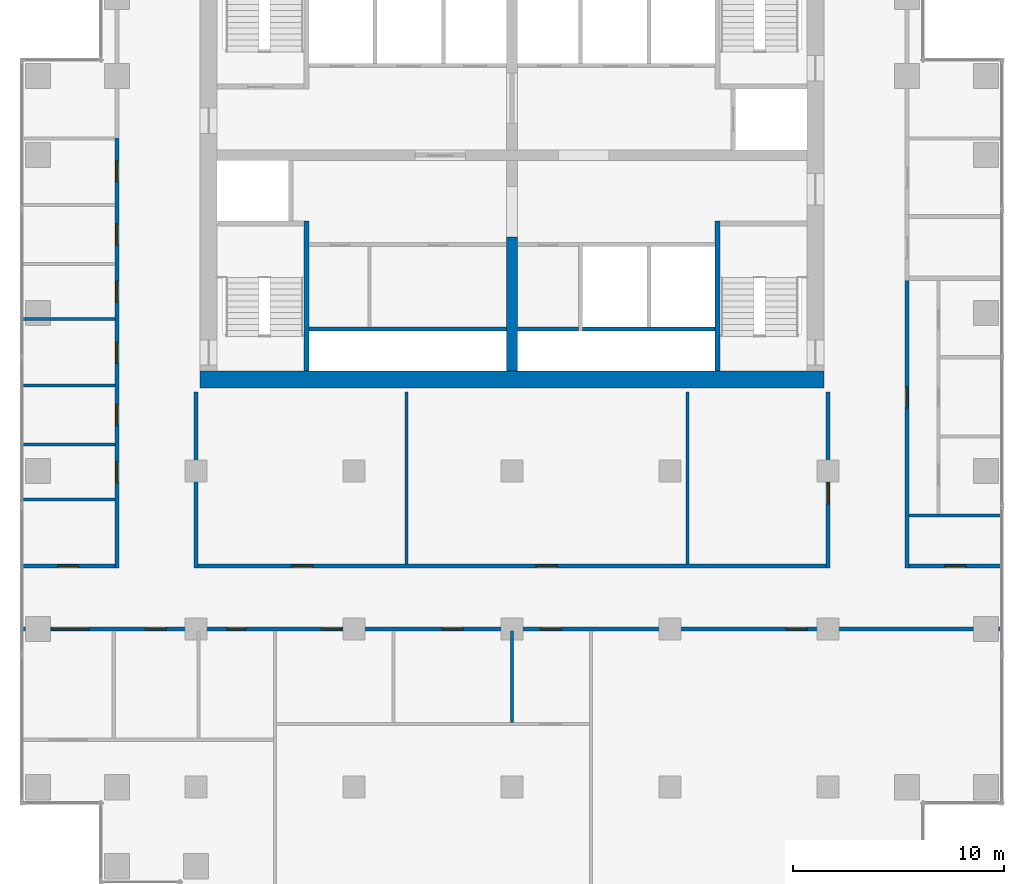
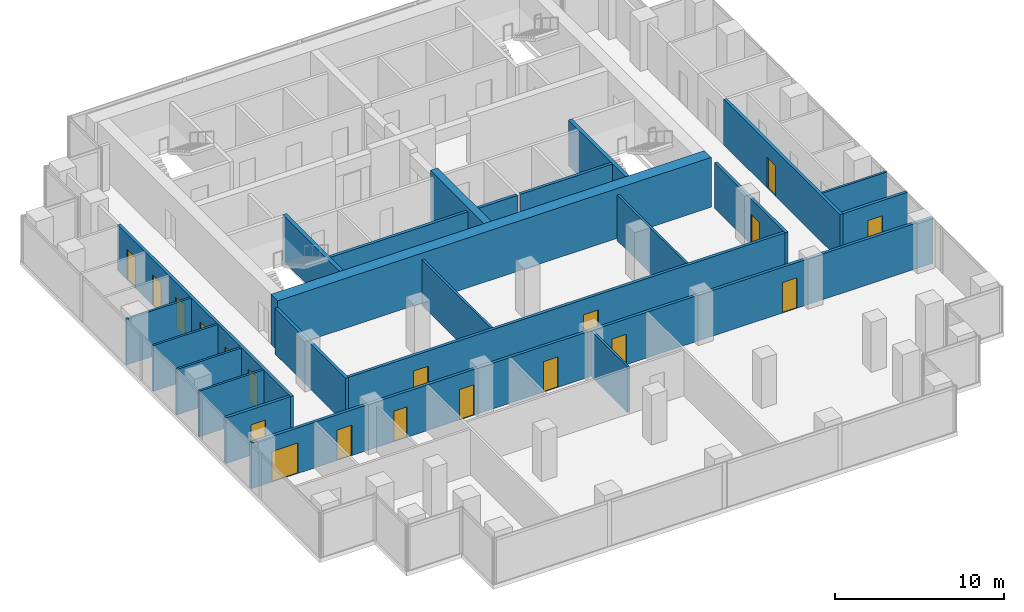
# One storey, part 7 of 10: 23 walls, 19 doors, 19 openings.
"""IFC4 building model written with IfcOpenShell, lengths in metres."""

from ifc_helpers import new_model, si_unit, direction, frame, frame_2d, origin, place, context, subcontext, project, spatial, rectangle, extrude, material, layer, layer_set, type_object, element, fill, save


model = new_model("IFC4")

# Units and contexts
model_context = context("Model", 3, precision=1e-05, world=origin(), true_north=direction((0.0, 1.0)))
body_context = subcontext(model_context, "Body", "Model", "MODEL_VIEW")
ifc_project = project(units=[si_unit("LENGTHUNIT", "METRE"), si_unit("AREAUNIT", "SQUARE_METRE"), si_unit("VOLUMEUNIT", "CUBIC_METRE"), si_unit("PLANEANGLEUNIT", "RADIAN"), si_unit("MASSUNIT", "GRAM", prefix="KILO")], contexts=[model_context])

# Site, building, storey
site_placement = place(None, origin())
site = spatial("IfcSite", under=ifc_project, at=site_placement, CompositionType="ELEMENT")
building_placement = place(site_placement, origin())
building = spatial("IfcBuilding", under=site, at=building_placement, Name="Pilkhan Gate Tower", CompositionType="ELEMENT")
storey_placement = place(building_placement, frame((0.0, 0.0, 147.699951171875)))
storey = spatial("IfcBuildingStorey", under=building, at=storey_placement, Name="L37", CompositionType="ELEMENT", Elevation=147.699951171875)

# Wall
ifc_material_1 = material(Name="Concrete C60/75", Category="concrete")
ifc_layer_1 = layer(ifc_material_1, 0.800048828125)
ifc_layer_set_1 = layer_set([ifc_layer_1], Name="Core wall CW800 C60/75")
wall_type_1 = type_object("IfcWallType", Name="Core wall CW800 C60/75", PredefinedType="SHEAR", material=ifc_layer_set_1)
wall_1_placement = place(storey_placement, frame((60.199951171875, 71.85009765625, 0.0), z_axis=(0.0, 0.0, 1.0), x_axis=(1.0, 0.0, 0.0)))
element("IfcWall", 1, at=wall_1_placement, inside=storey, type_object=wall_type_1, Name="Core wall S L37", PredefinedType="SHEAR", context=body_context, shape_type="SweptSolid", body=[
    extrude(rectangle(XDim=29.60009765625, YDim=0.800048828125, at=frame_2d((14.800048828125, 0.0))), origin(), (0.0, 0.0, 1.0), 3.60009765625),
])

# Wall, openings, doors
ifc_material_2 = material(Name="Dense blockwork", Category="masonry")
ifc_layer_2 = layer(ifc_material_2, 0.199951171875)
ifc_layer_set_2 = layer_set([ifc_layer_2], Name="Corridor wall FW200")
wall_type_2 = type_object("IfcWallType", Name="Corridor wall FW200", PredefinedType="PARTITIONING", material=ifc_layer_set_2)
wall_2_placement = place(storey_placement, frame((51.735107421875, 60.0, 0.0), z_axis=(0.0, 0.0, 1.0), x_axis=(1.0, 0.0, 0.0)))
wall_2 = element("IfcWall", 2, at=wall_2_placement, inside=storey, type_object=wall_type_2, Name="Partition L37", PredefinedType="PARTITIONING", context=body_context, shape_type="SweptSolid", body=[
    extrude(rectangle(XDim=46.52978515625, YDim=0.199951171875, at=frame_2d((23.264892578125, 0.0))), origin(), (0.0, 0.0, 1.0), 3.300048828125),
])
opening_1_placement = place(wall_2_placement, frame((24.614990234375, 0.0, 0.0)))
opening_1 = element("IfcOpeningElement", 3, at=opening_1_placement, cuts=wall_2, Name="Opening L37-06", PredefinedType="OPENING", context=body_context, shape_type="SweptSolid", body=[
    extrude(rectangle(XDim=1.0, YDim=2.199951171875, at=frame_2d((0.5, 1.10009765625))), frame((0.0, 0.10986328125, 0.0), z_axis=(0.0, -1.0, 0.0), x_axis=(1.0, 0.0, 0.0)), (0.0, 0.0, 1.0), 0.219970703125),
])
opening_2_placement = place(wall_2_placement, frame((1.39990234375, 0.0, 0.0)))
opening_2 = element("IfcOpeningElement", 4, at=opening_2_placement, cuts=wall_2, Name="Opening L37-17", PredefinedType="OPENING", context=body_context, shape_type="SweptSolid", body=[
    extrude(rectangle(XDim=1.800048828125, YDim=2.199951171875, at=frame_2d((0.89990234375, 1.10009765625))), frame((0.0, 0.10986328125, 0.0), z_axis=(0.0, -1.0, 0.0), x_axis=(1.0, 0.0, 0.0)), (0.0, 0.0, 1.0), 0.219970703125),
])
opening_3_placement = place(wall_2_placement, frame((5.864990234375, 0.0, 0.0)))
opening_3 = element("IfcOpeningElement", 5, at=opening_3_placement, cuts=wall_2, Name="Opening L37-18", PredefinedType="OPENING", context=body_context, shape_type="SweptSolid", body=[
    extrude(rectangle(XDim=1.0, YDim=2.199951171875, at=frame_2d((0.5, 1.10009765625))), frame((0.0, 0.10986328125, 0.0), z_axis=(0.0, -1.0, 0.0), x_axis=(1.0, 0.0, 0.0)), (0.0, 0.0, 1.0), 0.219970703125),
])
opening_4_placement = place(wall_2_placement, frame((9.740966796875, 0.0, 0.0)))
opening_4 = element("IfcOpeningElement", 6, at=opening_4_placement, cuts=wall_2, Name="Opening L37-19", PredefinedType="OPENING", context=body_context, shape_type="SweptSolid", body=[
    extrude(rectangle(XDim=0.89990234375, YDim=2.199951171875, at=frame_2d((0.449951171875, 1.10009765625))), frame((0.0, 0.10986328125, 0.0), z_axis=(0.0, -1.0, 0.0), x_axis=(1.0, 0.0, 0.0)), (0.0, 0.0, 1.0), 0.219970703125),
])
opening_5_placement = place(wall_2_placement, frame((14.215087890625, 0.0, 0.0)))
opening_5 = element("IfcOpeningElement", 7, at=opening_5_placement, cuts=wall_2, Name="Opening L37-21", PredefinedType="OPENING", context=body_context, shape_type="SweptSolid", body=[
    extrude(rectangle(XDim=1.0, YDim=2.199951171875, at=frame_2d((0.5, 1.10009765625))), frame((0.0, 0.10986328125, 0.0), z_axis=(0.0, -1.0, 0.0), x_axis=(1.0, 0.0, 0.0)), (0.0, 0.0, 1.0), 0.219970703125),
])
opening_6_placement = place(wall_2_placement, frame((19.93994140625, 0.0, 0.0)))
opening_6 = element("IfcOpeningElement", 8, at=opening_6_placement, cuts=wall_2, Name="Opening L37-22", PredefinedType="OPENING", context=body_context, shape_type="SweptSolid", body=[
    extrude(rectangle(XDim=1.0, YDim=2.199951171875, at=frame_2d((0.5, 1.10009765625))), frame((0.0, 0.10986328125, 0.0), z_axis=(0.0, -1.0, 0.0), x_axis=(1.0, 0.0, 0.0)), (0.0, 0.0, 1.0), 0.219970703125),
])
opening_7_placement = place(wall_2_placement, frame((36.264892578125, 0.0, 0.0)))
opening_7 = element("IfcOpeningElement", 9, at=opening_7_placement, cuts=wall_2, Name="Opening L37-24", PredefinedType="OPENING", context=body_context, shape_type="SweptSolid", body=[
    extrude(rectangle(XDim=1.0, YDim=2.199951171875, at=frame_2d((0.5, 1.10009765625))), frame((0.0, 0.10986328125, 0.0), z_axis=(0.0, -1.0, 0.0), x_axis=(1.0, 0.0, 0.0)), (0.0, 0.0, 1.0), 0.219970703125),
])
ifc_material_3 = material(Name="Timber glazed double door, 30 minute fire resisting", Category="wood")
door_type_1 = type_object("IfcDoorType", Name="Double door D04 1800x2200", OperationType="DOUBLE_DOOR_SINGLE_SWING", PredefinedType="DOOR", material=ifc_material_3)
door_1_placement = place(opening_2_placement, origin())
door_1 = element("IfcDoor", 10, at=door_1_placement, inside=storey, type_object=door_type_1, Name="Double door", OperationType="DOUBLE_DOOR_SINGLE_SWING", OverallHeight=2.199951171875, OverallWidth=1.800048828125, PredefinedType="DOOR", context=body_context, shape_type="SweptSolid", body=[
    extrude(rectangle(XDim=1.800048828125, YDim=2.199951171875, at=frame_2d((0.89990234375, 1.10009765625))), frame((0.0, 0.02490234375, 0.0), z_axis=(0.0, -1.0, 0.0), x_axis=(1.0, 0.0, 0.0)), (0.0, 0.0, 1.0), 0.050048828125),
])
fill(opening_2, door_1)
ifc_material_4 = material(Name="Timber flush door, 30 minute fire resisting", Category="wood")
door_type_2 = type_object("IfcDoorType", Name="Room door D03 1000x2200", OperationType="SINGLE_SWING_LEFT", PredefinedType="DOOR", material=ifc_material_4)
door_2_placement = place(opening_1_placement, origin())
door_2 = element("IfcDoor", 11, at=door_2_placement, inside=storey, type_object=door_type_2, Name="Room door", OperationType="SINGLE_SWING_RIGHT", OverallHeight=2.199951171875, OverallWidth=1.0, PredefinedType="DOOR", context=body_context, shape_type="SweptSolid", body=[
    extrude(rectangle(XDim=1.0, YDim=2.199951171875, at=frame_2d((0.5, 1.10009765625))), frame((0.0, 0.02490234375, 0.0), z_axis=(0.0, -1.0, 0.0), x_axis=(1.0, 0.0, 0.0)), (0.0, 0.0, 1.0), 0.050048828125),
])
fill(opening_1, door_2)
door_3_placement = place(opening_3_placement, origin())
door_3 = element("IfcDoor", 12, at=door_3_placement, inside=storey, type_object=door_type_2, Name="Room door", OperationType="SINGLE_SWING_RIGHT", OverallHeight=2.199951171875, OverallWidth=1.0, PredefinedType="DOOR", context=body_context, shape_type="SweptSolid", body=[
    extrude(rectangle(XDim=1.0, YDim=2.199951171875, at=frame_2d((0.5, 1.10009765625))), frame((0.0, 0.02490234375, 0.0), z_axis=(0.0, -1.0, 0.0), x_axis=(1.0, 0.0, 0.0)), (0.0, 0.0, 1.0), 0.050048828125),
])
fill(opening_3, door_3)
door_4_placement = place(opening_5_placement, origin())
door_4 = element("IfcDoor", 13, at=door_4_placement, inside=storey, type_object=door_type_2, Name="Room door", OperationType="SINGLE_SWING_LEFT", OverallHeight=2.199951171875, OverallWidth=1.0, PredefinedType="DOOR", context=body_context, shape_type="SweptSolid", body=[
    extrude(rectangle(XDim=1.0, YDim=2.199951171875, at=frame_2d((0.5, 1.10009765625))), frame((0.0, 0.02490234375, 0.0), z_axis=(0.0, -1.0, 0.0), x_axis=(1.0, 0.0, 0.0)), (0.0, 0.0, 1.0), 0.050048828125),
])
fill(opening_5, door_4)
door_5_placement = place(opening_6_placement, origin())
door_5 = element("IfcDoor", 14, at=door_5_placement, inside=storey, type_object=door_type_2, Name="Room door", OperationType="SINGLE_SWING_LEFT", OverallHeight=2.199951171875, OverallWidth=1.0, PredefinedType="DOOR", context=body_context, shape_type="SweptSolid", body=[
    extrude(rectangle(XDim=1.0, YDim=2.199951171875, at=frame_2d((0.5, 1.10009765625))), frame((0.0, 0.02490234375, 0.0), z_axis=(0.0, -1.0, 0.0), x_axis=(1.0, 0.0, 0.0)), (0.0, 0.0, 1.0), 0.050048828125),
])
fill(opening_6, door_5)
door_6_placement = place(opening_7_placement, origin())
door_6 = element("IfcDoor", 15, at=door_6_placement, inside=storey, type_object=door_type_2, Name="Room door", OperationType="SINGLE_SWING_RIGHT", OverallHeight=2.199951171875, OverallWidth=1.0, PredefinedType="DOOR", context=body_context, shape_type="SweptSolid", body=[
    extrude(rectangle(XDim=1.0, YDim=2.199951171875, at=frame_2d((0.5, 1.10009765625))), frame((0.0, 0.02490234375, 0.0), z_axis=(0.0, -1.0, 0.0), x_axis=(1.0, 0.0, 0.0)), (0.0, 0.0, 1.0), 0.050048828125),
])
fill(opening_7, door_6)
ifc_material_5 = material(Name="Timber flush door, 60 minute fire resisting, self-closing", Category="wood")
door_type_3 = type_object("IfcDoorType", Name="Store door D05 900x2200", OperationType="SINGLE_SWING_LEFT", PredefinedType="DOOR", material=ifc_material_5)
door_7_placement = place(opening_4_placement, origin())
door_7 = element("IfcDoor", 16, at=door_7_placement, inside=storey, type_object=door_type_3, Name="Store door", OperationType="SINGLE_SWING_RIGHT", OverallHeight=2.199951171875, OverallWidth=0.89990234375, PredefinedType="DOOR", context=body_context, shape_type="SweptSolid", body=[
    extrude(rectangle(XDim=0.89990234375, YDim=2.199951171875, at=frame_2d((0.449951171875, 1.10009765625))), frame((0.0, 0.02490234375, 0.0), z_axis=(0.0, -1.0, 0.0), x_axis=(1.0, 0.0, 0.0)), (0.0, 0.0, 1.0), 0.050048828125),
])
fill(opening_4, door_7)

# Wall, opening, door
wall_3_placement = place(storey_placement, frame((51.735107421875, 63.0, 0.0), z_axis=(0.0, 0.0, 1.0), x_axis=(1.0, 0.0, 0.0)))
wall_3 = element("IfcWall", 17, at=wall_3_placement, inside=storey, type_object=wall_type_2, Name="Partition L37", PredefinedType="PARTITIONING", context=body_context, shape_type="SweptSolid", body=[
    extrude(rectangle(XDim=4.414794921875, YDim=0.199951171875, at=frame_2d((2.20751953125, 0.0))), origin(), (0.0, 0.0, 1.0), 3.300048828125),
])
opening_8_placement = place(wall_3_placement, frame((1.699951171875, 0.0, 0.0)))
opening_8 = element("IfcOpeningElement", 18, at=opening_8_placement, cuts=wall_3, Name="Opening L37-07", PredefinedType="OPENING", context=body_context, shape_type="SweptSolid", body=[
    extrude(rectangle(XDim=1.0, YDim=2.199951171875, at=frame_2d((0.5, 1.10009765625))), frame((0.0, 0.10986328125, 0.0), z_axis=(0.0, -1.0, 0.0), x_axis=(1.0, 0.0, 0.0)), (0.0, 0.0, 1.0), 0.219970703125),
])
door_8_placement = place(opening_8_placement, origin())
door_8 = element("IfcDoor", 19, at=door_8_placement, inside=storey, type_object=door_type_2, Name="Room door", OperationType="SINGLE_SWING_LEFT", OverallHeight=2.199951171875, OverallWidth=1.0, PredefinedType="DOOR", context=body_context, shape_type="SweptSolid", body=[
    extrude(rectangle(XDim=1.0, YDim=2.199951171875, at=frame_2d((0.5, 1.10009765625))), frame((0.0, 0.02490234375, 0.0), z_axis=(0.0, -1.0, 0.0), x_axis=(1.0, 0.0, 0.0)), (0.0, 0.0, 1.0), 0.050048828125),
])
fill(opening_8, door_8)

# Wall, openings, doors
wall_4_placement = place(storey_placement, frame((60.10009765625, 63.0, 0.0), z_axis=(0.0, 0.0, 1.0), x_axis=(1.0, 0.0, 0.0)))
wall_4 = element("IfcWall", 20, at=wall_4_placement, inside=storey, type_object=wall_type_2, Name="Partition L37", PredefinedType="PARTITIONING", context=body_context, shape_type="SweptSolid", body=[
    extrude(rectangle(XDim=29.7998046875, YDim=0.199951171875, at=frame_2d((14.89990234375, 0.0))), origin(), (0.0, 0.0, 1.0), 3.300048828125),
])
opening_9_placement = place(wall_4_placement, frame((4.449951171875, 0.0, 0.0)))
opening_9 = element("IfcOpeningElement", 21, at=opening_9_placement, cuts=wall_4, Name="Opening L37-34", PredefinedType="OPENING", context=body_context, shape_type="SweptSolid", body=[
    extrude(rectangle(XDim=1.0, YDim=2.199951171875, at=frame_2d((0.5, 1.10009765625))), frame((0.0, 0.10986328125, 0.0), z_axis=(0.0, -1.0, 0.0), x_axis=(1.0, 0.0, 0.0)), (0.0, 0.0, 1.0), 0.219970703125),
])
opening_10_placement = place(wall_4_placement, frame((16.050048828125, 0.0, 0.0)))
opening_10 = element("IfcOpeningElement", 22, at=opening_10_placement, cuts=wall_4, Name="Opening L37-35", PredefinedType="OPENING", context=body_context, shape_type="SweptSolid", body=[
    extrude(rectangle(XDim=1.0, YDim=2.199951171875, at=frame_2d((0.5, 1.10009765625))), frame((0.0, 0.10986328125, 0.0), z_axis=(0.0, -1.0, 0.0), x_axis=(1.0, 0.0, 0.0)), (0.0, 0.0, 1.0), 0.219970703125),
])
door_9_placement = place(opening_9_placement, origin())
door_9 = element("IfcDoor", 23, at=door_9_placement, inside=storey, type_object=door_type_2, Name="Room door", OperationType="SINGLE_SWING_RIGHT", OverallHeight=2.199951171875, OverallWidth=1.0, PredefinedType="DOOR", context=body_context, shape_type="SweptSolid", body=[
    extrude(rectangle(XDim=1.0, YDim=2.199951171875, at=frame_2d((0.5, 1.10009765625))), frame((0.0, 0.02490234375, 0.0), z_axis=(0.0, -1.0, 0.0), x_axis=(1.0, 0.0, 0.0)), (0.0, 0.0, 1.0), 0.050048828125),
])
fill(opening_9, door_9)
door_10_placement = place(opening_10_placement, origin())
door_10 = element("IfcDoor", 24, at=door_10_placement, inside=storey, type_object=door_type_2, Name="Room door", OperationType="SINGLE_SWING_RIGHT", OverallHeight=2.199951171875, OverallWidth=1.0, PredefinedType="DOOR", context=body_context, shape_type="SweptSolid", body=[
    extrude(rectangle(XDim=1.0, YDim=2.199951171875, at=frame_2d((0.5, 1.10009765625))), frame((0.0, 0.02490234375, 0.0), z_axis=(0.0, -1.0, 0.0), x_axis=(1.0, 0.0, 0.0)), (0.0, 0.0, 1.0), 0.050048828125),
])
fill(opening_10, door_10)

# Wall, opening, door
wall_5_placement = place(storey_placement, frame((93.85009765625, 63.0, 0.0), z_axis=(0.0, 0.0, 1.0), x_axis=(1.0, 0.0, 0.0)))
wall_5 = element("IfcWall", 25, at=wall_5_placement, inside=storey, type_object=wall_type_2, Name="Partition L37", PredefinedType="PARTITIONING", context=body_context, shape_type="SweptSolid", body=[
    extrude(rectangle(XDim=4.414794921875, YDim=0.199951171875, at=frame_2d((2.20751953125, 0.0))), origin(), (0.0, 0.0, 1.0), 3.300048828125),
])
opening_11_placement = place(wall_5_placement, frame((1.699951171875, 0.0, 0.0)))
opening_11 = element("IfcOpeningElement", 26, at=opening_11_placement, cuts=wall_5, Name="Opening L37-32", PredefinedType="OPENING", context=body_context, shape_type="SweptSolid", body=[
    extrude(rectangle(XDim=1.0, YDim=2.199951171875, at=frame_2d((0.5, 1.10009765625))), frame((0.0, 0.10986328125, 0.0), z_axis=(0.0, -1.0, 0.0), x_axis=(1.0, 0.0, 0.0)), (0.0, 0.0, 1.0), 0.219970703125),
])
door_11_placement = place(opening_11_placement, origin())
door_11 = element("IfcDoor", 27, at=door_11_placement, inside=storey, type_object=door_type_2, Name="Room door", OperationType="SINGLE_SWING_LEFT", OverallHeight=2.199951171875, OverallWidth=1.0, PredefinedType="DOOR", context=body_context, shape_type="SweptSolid", body=[
    extrude(rectangle(XDim=1.0, YDim=2.199951171875, at=frame_2d((0.5, 1.10009765625))), frame((0.0, 0.02490234375, 0.0), z_axis=(0.0, -1.0, 0.0), x_axis=(1.0, 0.0, 0.0)), (0.0, 0.0, 1.0), 0.050048828125),
])
fill(opening_11, door_11)

# Wall, openings, doors
wall_6_placement = place(storey_placement, frame((56.25, 62.89990234375, 0.0), z_axis=(0.0, 0.0, 1.0), x_axis=(0.0, 1.0, 0.0)))
wall_6 = element("IfcWall", 28, at=wall_6_placement, inside=storey, type_object=wall_type_2, Name="Partition L37", PredefinedType="PARTITIONING", context=body_context, shape_type="SweptSolid", body=[
    extrude(rectangle(XDim=20.455078125, YDim=0.199951171875, at=frame_2d((10.2275390625, 0.0))), origin(), (0.0, 0.0, 1.0), 3.300048828125),
])
opening_12_placement = place(wall_6_placement, frame((9.715087890625, 0.0, 0.0)))
opening_12 = element("IfcOpeningElement", 29, at=opening_12_placement, cuts=wall_6, Name="Opening L37-08", PredefinedType="OPENING", context=body_context, shape_type="SweptSolid", body=[
    extrude(rectangle(XDim=1.0, YDim=2.199951171875, at=frame_2d((0.5, 1.10009765625))), frame((0.0, 0.10986328125, 0.0), z_axis=(0.0, -1.0, 0.0), x_axis=(1.0, 0.0, 0.0)), (0.0, 0.0, 1.0), 0.219970703125),
])
opening_13_placement = place(wall_6_placement, frame((18.3291015625, 0.0, 0.0)))
opening_13 = element("IfcOpeningElement", 30, at=opening_13_placement, cuts=wall_6, Name="Opening L37-09", PredefinedType="OPENING", context=body_context, shape_type="SweptSolid", body=[
    extrude(rectangle(XDim=1.0, YDim=2.199951171875, at=frame_2d((0.5, 1.10009765625))), frame((0.0, 0.10986328125, 0.0), z_axis=(0.0, -1.0, 0.0), x_axis=(1.0, 0.0, 0.0)), (0.0, 0.0, 1.0), 0.219970703125),
])
opening_14_placement = place(wall_6_placement, frame((4.051025390625, 0.0, 0.0)))
opening_14 = element("IfcOpeningElement", 31, at=opening_14_placement, cuts=wall_6, Name="Opening L37-25", PredefinedType="OPENING", context=body_context, shape_type="SweptSolid", body=[
    extrude(rectangle(XDim=1.0, YDim=2.199951171875, at=frame_2d((0.5, 1.10009765625))), frame((0.0, 0.10986328125, 0.0), z_axis=(0.0, -1.0, 0.0), x_axis=(1.0, 0.0, 0.0)), (0.0, 0.0, 1.0), 0.219970703125),
])
opening_15_placement = place(wall_6_placement, frame((6.763916015625, 0.0, 0.0)))
opening_15 = element("IfcOpeningElement", 32, at=opening_15_placement, cuts=wall_6, Name="Opening L37-26", PredefinedType="OPENING", context=body_context, shape_type="SweptSolid", body=[
    extrude(rectangle(XDim=1.0, YDim=2.199951171875, at=frame_2d((0.5, 1.10009765625))), frame((0.0, 0.10986328125, 0.0), z_axis=(0.0, -1.0, 0.0), x_axis=(1.0, 0.0, 0.0)), (0.0, 0.0, 1.0), 0.219970703125),
])
opening_16_placement = place(wall_6_placement, frame((12.614990234375, 0.0, 0.0)))
opening_16 = element("IfcOpeningElement", 33, at=opening_16_placement, cuts=wall_6, Name="Opening L37-27", PredefinedType="OPENING", context=body_context, shape_type="SweptSolid", body=[
    extrude(rectangle(XDim=1.0, YDim=2.199951171875, at=frame_2d((0.5, 1.10009765625))), frame((0.0, 0.10986328125, 0.0), z_axis=(0.0, -1.0, 0.0), x_axis=(1.0, 0.0, 0.0)), (0.0, 0.0, 1.0), 0.219970703125),
])
opening_17_placement = place(wall_6_placement, frame((15.3291015625, 0.0, 0.0)))
opening_17 = element("IfcOpeningElement", 34, at=opening_17_placement, cuts=wall_6, Name="Opening L37-28", PredefinedType="OPENING", context=body_context, shape_type="SweptSolid", body=[
    extrude(rectangle(XDim=1.0, YDim=2.199951171875, at=frame_2d((0.5, 1.10009765625))), frame((0.0, 0.10986328125, 0.0), z_axis=(0.0, -1.0, 0.0), x_axis=(1.0, 0.0, 0.0)), (0.0, 0.0, 1.0), 0.219970703125),
])
door_12_placement = place(opening_12_placement, origin())
door_12 = element("IfcDoor", 35, at=door_12_placement, inside=storey, type_object=door_type_2, Name="Room door", OperationType="SINGLE_SWING_LEFT", OverallHeight=2.199951171875, OverallWidth=1.0, PredefinedType="DOOR", context=body_context, shape_type="SweptSolid", body=[
    extrude(rectangle(XDim=1.0, YDim=2.199951171875, at=frame_2d((0.5, 1.10009765625))), frame((0.0, 0.02490234375, 0.0), z_axis=(0.0, -1.0, 0.0), x_axis=(1.0, 0.0, 0.0)), (0.0, 0.0, 1.0), 0.050048828125),
])
fill(opening_12, door_12)
door_13_placement = place(opening_13_placement, origin())
door_13 = element("IfcDoor", 36, at=door_13_placement, inside=storey, type_object=door_type_2, Name="Room door", OperationType="SINGLE_SWING_RIGHT", OverallHeight=2.199951171875, OverallWidth=1.0, PredefinedType="DOOR", context=body_context, shape_type="SweptSolid", body=[
    extrude(rectangle(XDim=1.0, YDim=2.199951171875, at=frame_2d((0.5, 1.10009765625))), frame((0.0, 0.02490234375, 0.0), z_axis=(0.0, -1.0, 0.0), x_axis=(1.0, 0.0, 0.0)), (0.0, 0.0, 1.0), 0.050048828125),
])
fill(opening_13, door_13)
door_14_placement = place(opening_14_placement, origin())
door_14 = element("IfcDoor", 37, at=door_14_placement, inside=storey, type_object=door_type_2, Name="Room door", OperationType="SINGLE_SWING_RIGHT", OverallHeight=2.199951171875, OverallWidth=1.0, PredefinedType="DOOR", context=body_context, shape_type="SweptSolid", body=[
    extrude(rectangle(XDim=1.0, YDim=2.199951171875, at=frame_2d((0.5, 1.10009765625))), frame((0.0, 0.02490234375, 0.0), z_axis=(0.0, -1.0, 0.0), x_axis=(1.0, 0.0, 0.0)), (0.0, 0.0, 1.0), 0.050048828125),
])
fill(opening_14, door_14)
door_15_placement = place(opening_15_placement, origin())
door_15 = element("IfcDoor", 38, at=door_15_placement, inside=storey, type_object=door_type_2, Name="Room door", OperationType="SINGLE_SWING_LEFT", OverallHeight=2.199951171875, OverallWidth=1.0, PredefinedType="DOOR", context=body_context, shape_type="SweptSolid", body=[
    extrude(rectangle(XDim=1.0, YDim=2.199951171875, at=frame_2d((0.5, 1.10009765625))), frame((0.0, 0.02490234375, 0.0), z_axis=(0.0, -1.0, 0.0), x_axis=(1.0, 0.0, 0.0)), (0.0, 0.0, 1.0), 0.050048828125),
])
fill(opening_15, door_15)
door_16_placement = place(opening_16_placement, origin())
door_16 = element("IfcDoor", 39, at=door_16_placement, inside=storey, type_object=door_type_2, Name="Room door", OperationType="SINGLE_SWING_RIGHT", OverallHeight=2.199951171875, OverallWidth=1.0, PredefinedType="DOOR", context=body_context, shape_type="SweptSolid", body=[
    extrude(rectangle(XDim=1.0, YDim=2.199951171875, at=frame_2d((0.5, 1.10009765625))), frame((0.0, 0.02490234375, 0.0), z_axis=(0.0, -1.0, 0.0), x_axis=(1.0, 0.0, 0.0)), (0.0, 0.0, 1.0), 0.050048828125),
])
fill(opening_16, door_16)
door_17_placement = place(opening_17_placement, origin())
door_17 = element("IfcDoor", 40, at=door_17_placement, inside=storey, type_object=door_type_2, Name="Room door", OperationType="SINGLE_SWING_LEFT", OverallHeight=2.199951171875, OverallWidth=1.0, PredefinedType="DOOR", context=body_context, shape_type="SweptSolid", body=[
    extrude(rectangle(XDim=1.0, YDim=2.199951171875, at=frame_2d((0.5, 1.10009765625))), frame((0.0, 0.02490234375, 0.0), z_axis=(0.0, -1.0, 0.0), x_axis=(1.0, 0.0, 0.0)), (0.0, 0.0, 1.0), 0.050048828125),
])
fill(opening_17, door_17)

# Wall
wall_7_placement = place(storey_placement, frame((60.0, 62.89990234375, 0.0), z_axis=(0.0, 0.0, 1.0), x_axis=(0.0, 1.0, 0.0)))
element("IfcWall", 41, at=wall_7_placement, inside=storey, type_object=wall_type_2, Name="Partition L37", PredefinedType="PARTITIONING", context=body_context, shape_type="SweptSolid", body=[
    extrude(rectangle(XDim=8.35009765625, YDim=0.199951171875, at=frame_2d((4.175048828125, 0.0))), origin(), (0.0, 0.0, 1.0), 3.300048828125),
])

# Wall, opening, door
wall_8_placement = place(storey_placement, frame((90.0, 62.89990234375, 0.0), z_axis=(0.0, 0.0, 1.0), x_axis=(0.0, 1.0, 0.0)))
wall_8 = element("IfcWall", 42, at=wall_8_placement, inside=storey, type_object=wall_type_2, Name="Partition L37", PredefinedType="PARTITIONING", context=body_context, shape_type="SweptSolid", body=[
    extrude(rectangle(XDim=8.35009765625, YDim=0.199951171875, at=frame_2d((4.175048828125, 0.0))), origin(), (0.0, 0.0, 1.0), 3.300048828125),
])
opening_18_placement = place(wall_8_placement, frame((3.050048828125, 0.0, 0.0)))
opening_18 = element("IfcOpeningElement", 43, at=opening_18_placement, cuts=wall_8, Name="Opening L37-36", PredefinedType="OPENING", context=body_context, shape_type="SweptSolid", body=[
    extrude(rectangle(XDim=1.0, YDim=2.199951171875, at=frame_2d((0.5, 1.10009765625))), frame((0.0, 0.10986328125, 0.0), z_axis=(0.0, -1.0, 0.0), x_axis=(1.0, 0.0, 0.0)), (0.0, 0.0, 1.0), 0.219970703125),
])
door_18_placement = place(opening_18_placement, origin())
door_18 = element("IfcDoor", 44, at=door_18_placement, inside=storey, type_object=door_type_2, Name="Room door", OperationType="SINGLE_SWING_LEFT", OverallHeight=2.199951171875, OverallWidth=1.0, PredefinedType="DOOR", context=body_context, shape_type="SweptSolid", body=[
    extrude(rectangle(XDim=1.0, YDim=2.199951171875, at=frame_2d((0.5, 1.10009765625))), frame((0.0, 0.02490234375, 0.0), z_axis=(0.0, -1.0, 0.0), x_axis=(1.0, 0.0, 0.0)), (0.0, 0.0, 1.0), 0.050048828125),
])
fill(opening_18, door_18)

wall_9_placement = place(storey_placement, frame((93.75, 62.89990234375, 0.0), z_axis=(0.0, 0.0, 1.0), x_axis=(0.0, 1.0, 0.0)))
wall_9 = element("IfcWall", 45, at=wall_9_placement, inside=storey, type_object=wall_type_2, Name="Partition L37", PredefinedType="PARTITIONING", context=body_context, shape_type="SweptSolid", body=[
    extrude(rectangle(XDim=13.75, YDim=0.199951171875, at=frame_2d((6.875, 0.0))), origin(), (0.0, 0.0, 1.0), 3.300048828125),
])
opening_19_placement = place(wall_9_placement, frame((7.60009765625, 0.0, 0.0)))
opening_19 = element("IfcOpeningElement", 46, at=opening_19_placement, cuts=wall_9, Name="Opening L37-10", PredefinedType="OPENING", context=body_context, shape_type="SweptSolid", body=[
    extrude(rectangle(XDim=1.0, YDim=2.199951171875, at=frame_2d((0.5, 1.10009765625))), frame((0.0, 0.10986328125, 0.0), z_axis=(0.0, -1.0, 0.0), x_axis=(1.0, 0.0, 0.0)), (0.0, 0.0, 1.0), 0.219970703125),
])
door_19_placement = place(opening_19_placement, origin())
door_19 = element("IfcDoor", 47, at=door_19_placement, inside=storey, type_object=door_type_2, Name="Toilet lobby door", OperationType="SINGLE_SWING_RIGHT", OverallHeight=2.199951171875, OverallWidth=1.0, PredefinedType="DOOR", context=body_context, shape_type="SweptSolid", body=[
    extrude(rectangle(XDim=1.0, YDim=2.199951171875, at=frame_2d((0.5, 1.10009765625))), frame((0.0, 0.02490234375, 0.0), z_axis=(0.0, -1.0, 0.0), x_axis=(1.0, 0.0, 0.0)), (0.0, 0.0, 1.0), 0.050048828125),
])
fill(opening_19, door_19)

# Walls
ifc_layer_3 = layer(ifc_material_2, 0.199951171875)
ifc_layer_set_3 = layer_set([ifc_layer_3], Name="Lobby wall LW200")
wall_type_3 = type_object("IfcWallType", Name="Lobby wall LW200", PredefinedType="PARTITIONING", material=ifc_layer_set_3)
wall_10_placement = place(storey_placement, frame((65.375, 74.25, 0.0), z_axis=(0.0, 0.0, 1.0), x_axis=(1.0, 0.0, 0.0)))
element("IfcWall", 48, at=wall_10_placement, inside=storey, type_object=wall_type_3, Name="Partition L37", PredefinedType="PARTITIONING", context=body_context, shape_type="SweptSolid", body=[
    extrude(rectangle(XDim=9.364990234375, YDim=0.199951171875, at=frame_2d((4.6826171875, 0.0))), origin(), (0.0, 0.0, 1.0), 3.300048828125),
])
wall_11_placement = place(storey_placement, frame((75.260009765625, 74.25, 0.0), z_axis=(0.0, 0.0, 1.0), x_axis=(1.0, 0.0, 0.0)))
element("IfcWall", 49, at=wall_11_placement, inside=storey, type_object=wall_type_3, Name="Partition L37", PredefinedType="PARTITIONING", context=body_context, shape_type="SweptSolid", body=[
    extrude(rectangle(XDim=2.889892578125, YDim=0.199951171875, at=frame_2d((1.44482421875, 0.0))), origin(), (0.0, 0.0, 1.0), 3.300048828125),
])
ifc_material_6 = material(Name="Blockwork partition, plastered both sides", Category="masonry")
ifc_layer_4 = layer(ifc_material_6, 0.14990234375)
ifc_layer_set_4 = layer_set([ifc_layer_4], Name="Partition PW150")
wall_type_4 = type_object("IfcWallType", Name="Partition PW150", PredefinedType="PARTITIONING", material=ifc_layer_set_4)
for number, where, z_axis, x_axis, name in (
    (50, (93.85009765625, 65.39990234375, 0.0), (0.0, 0.0, 1.0), (1.0, 0.0, 0.0), "Partition L37"),
    (51, (51.735107421875, 66.15087890625, 0.0), (0.0, 0.0, 1.0), (1.0, 0.0, 0.0), "Partition L37"),
    (52, (51.735107421875, 68.763916015625, 0.0), (0.0, 0.0, 1.0), (1.0, 0.0, 0.0), "Partition L37"),
    (53, (51.735107421875, 71.56494140625, 0.0), (0.0, 0.0, 1.0), (1.0, 0.0, 0.0), "Partition L37"),
    (54, (51.735107421875, 74.715087890625, 0.0), (0.0, 0.0, 1.0), (1.0, 0.0, 0.0), "Partition L37"),
):
    element("IfcWall", number, at=place(storey_placement, frame(where, z_axis=z_axis, x_axis=x_axis)), inside=storey, type_object=wall_type_4, Name=name, PredefinedType="PARTITIONING", context=body_context, shape_type="SweptSolid", body=[
        extrude(rectangle(XDim=4.414794921875, YDim=0.14990234375, at=frame_2d((2.20751953125, 0.0))), origin(), (0.0, 0.0, 1.0), 3.300048828125),
    ])
wall_12_placement = place(storey_placement, frame((70.0, 63.10009765625, 0.0), z_axis=(0.0, 0.0, 1.0), x_axis=(0.0, 1.0, 0.0)))
element("IfcWall", 55, at=wall_12_placement, inside=storey, type_object=wall_type_4, Name="Partition L37", PredefinedType="PARTITIONING", context=body_context, shape_type="SweptSolid", body=[
    extrude(rectangle(XDim=8.14990234375, YDim=0.14990234375, at=frame_2d((4.074951171875, 0.0))), origin(), (0.0, 0.0, 1.0), 3.300048828125),
])
wall_13_placement = place(storey_placement, frame((75.0, 55.574951171875, 0.0), z_axis=(0.0, 0.0, 1.0), x_axis=(0.0, 1.0, 0.0)))
element("IfcWall", 56, at=wall_13_placement, inside=storey, type_object=wall_type_4, Name="Partition L37", PredefinedType="PARTITIONING", context=body_context, shape_type="SweptSolid", body=[
    extrude(rectangle(XDim=4.324951171875, YDim=0.14990234375, at=frame_2d((2.16259765625, 0.0))), origin(), (0.0, 0.0, 1.0), 3.300048828125),
])
wall_14_placement = place(storey_placement, frame((83.3330078125, 63.10009765625, 0.0), z_axis=(0.0, 0.0, 1.0), x_axis=(0.0, 1.0, 0.0)))
element("IfcWall", 57, at=wall_14_placement, inside=storey, type_object=wall_type_4, Name="Partition L37", PredefinedType="PARTITIONING", context=body_context, shape_type="SweptSolid", body=[
    extrude(rectangle(XDim=8.14990234375, YDim=0.14990234375, at=frame_2d((4.074951171875, 0.0))), origin(), (0.0, 0.0, 1.0), 3.300048828125),
])
ifc_material_7 = material(Name="Reinforced blockwork shaft wall, 120 minute fire resisting", Category="masonry")
ifc_layer_5 = layer(ifc_material_7, 0.199951171875)
ifc_layer_set_5 = layer_set([ifc_layer_5], Name="Shaft wall SW200")
wall_type_5 = type_object("IfcWallType", Name="Shaft wall SW200", PredefinedType="PARTITIONING", material=ifc_layer_set_5)
wall_15_placement = place(storey_placement, frame((78.35009765625, 74.25, 0.0), z_axis=(0.0, 0.0, 1.0), x_axis=(1.0, 0.0, 0.0)))
element("IfcWall", 58, at=wall_15_placement, inside=storey, type_object=wall_type_5, Name="Partition L37", PredefinedType="PARTITIONING", context=body_context, shape_type="SweptSolid", body=[
    extrude(rectangle(XDim=6.27490234375, YDim=0.199951171875, at=frame_2d((3.137451171875, 0.0))), origin(), (0.0, 0.0, 1.0), 3.300048828125),
])
ifc_layer_6 = layer(ifc_material_1, 0.5)
ifc_layer_set_6 = layer_set([ifc_layer_6], Name="Spine wall SW500 C60/75")
wall_type_6 = type_object("IfcWallType", Name="Spine wall SW500 C60/75", PredefinedType="SHEAR", material=ifc_layer_set_6)
wall_16_placement = place(storey_placement, frame((75.0, 72.25, 0.0), z_axis=(0.0, 0.0, 1.0), x_axis=(0.0, 1.0, 0.0)))
element("IfcWall", 59, at=wall_16_placement, inside=storey, type_object=wall_type_6, Name="Spine wall SP-NS-S1 L37", PredefinedType="SHEAR", context=body_context, shape_type="SweptSolid", body=[
    extrude(rectangle(XDim=6.35009765625, YDim=0.5, at=frame_2d((3.175048828125, 0.0))), origin(), (0.0, 0.0, 1.0), 3.60009765625),
])
ifc_material_8 = material(Name="Reinforced blockwork, 120 minute fire resisting", Category="masonry")
ifc_layer_7 = layer(ifc_material_8, 0.25)
ifc_layer_set_7 = layer_set([ifc_layer_7], Name="Stair enclosure wall SE250")
wall_type_7 = type_object("IfcWallType", Name="Stair enclosure wall SE250", PredefinedType="PARTITIONING", material=ifc_layer_set_7)
for number, where, z_axis, x_axis, name in (
    (60, (65.25, 72.25, 0.0), (0.0, 0.0, 1.0), (0.0, 1.0, 0.0), "Partition L37"),
    (61, (84.75, 72.25, 0.0), (0.0, 0.0, 1.0), (0.0, 1.0, 0.0), "Partition L37"),
):
    element("IfcWall", number, at=place(storey_placement, frame(where, z_axis=z_axis, x_axis=x_axis)), inside=storey, type_object=wall_type_7, Name=name, PredefinedType="PARTITIONING", context=body_context, shape_type="SweptSolid", body=[
        extrude(rectangle(XDim=7.125, YDim=0.25, at=frame_2d((3.5625, 0.0))), origin(), (0.0, 0.0, 1.0), 3.300048828125),
    ])

save(model, "model.ifc")
